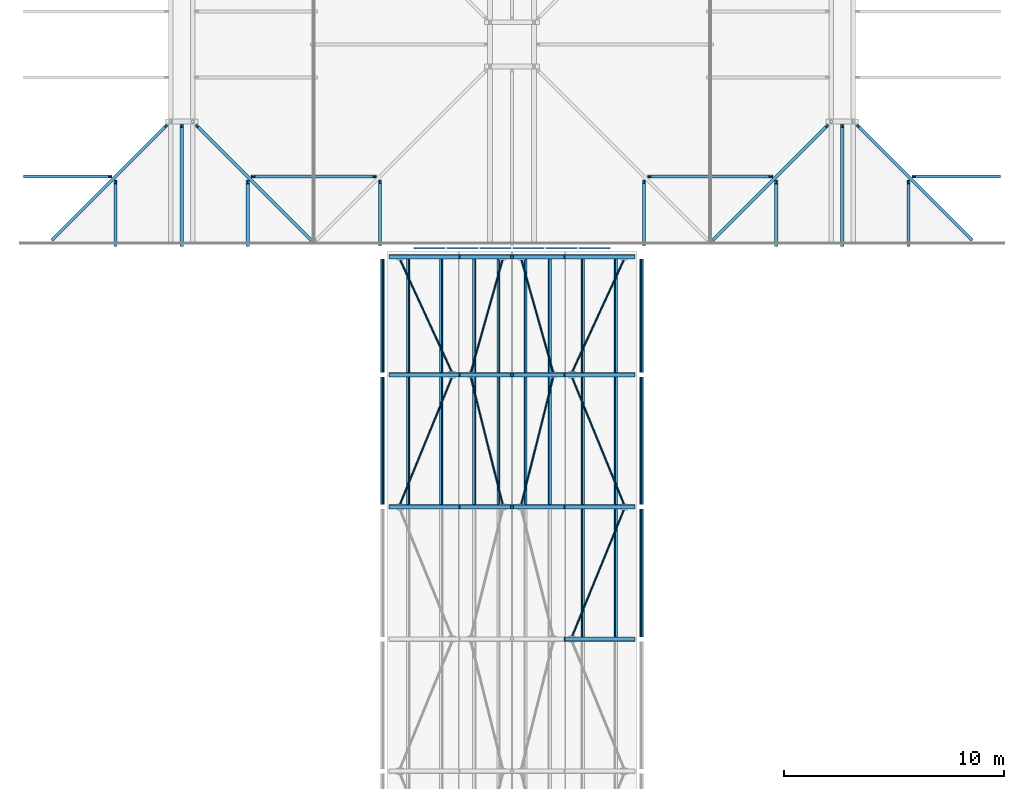
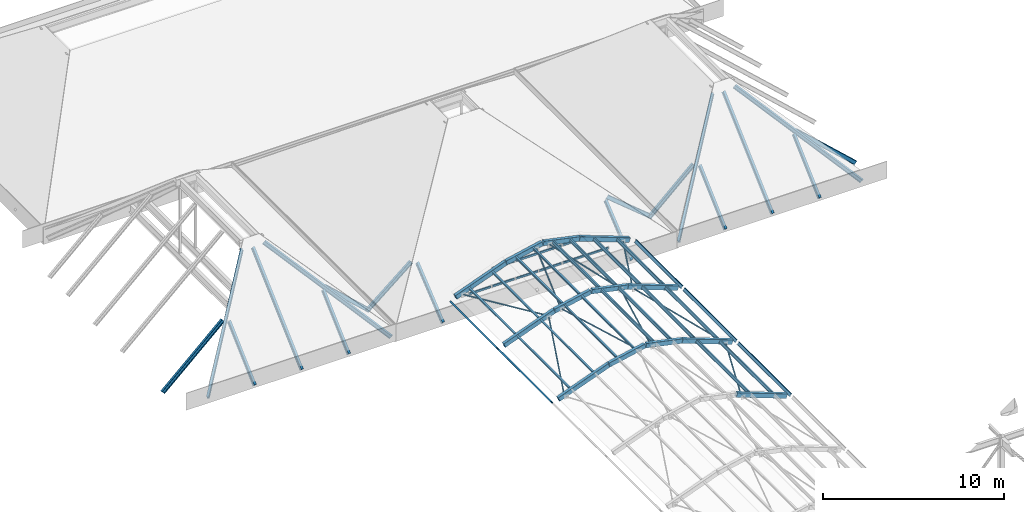
# One storey, part 20 of 57: 50 members, 23 beams.
"""IFC4 building model written with IfcOpenShell, lengths in metres."""

from ifc_helpers import new_model, si_unit, direction, frame, origin, origin_2d, place, context, subcontext, project, spatial, hollow_rectangle, hollow_circle, i_section, extrude, material, material_profile, profile_set, type_object, element, save


model = new_model("IFC4")

# Units and contexts
model_context = context("Model", 3, precision=1e-05, world=origin(), true_north=direction((0.0, 1.0)))
body_context = subcontext(model_context, "Body", "Model", "MODEL_VIEW")
ifc_project = project(units=[si_unit("LENGTHUNIT", "METRE"), si_unit("AREAUNIT", "SQUARE_METRE"), si_unit("VOLUMEUNIT", "CUBIC_METRE"), si_unit("PLANEANGLEUNIT", "RADIAN"), si_unit("MASSUNIT", "GRAM", prefix="KILO")], contexts=[model_context])

# Site, building, storey
site_placement = place(None, origin())
site = spatial("IfcSite", under=ifc_project, at=site_placement, CompositionType="ELEMENT")
building_placement = place(site_placement, origin())
building = spatial("IfcBuilding", under=site, at=building_placement, Name="Saffron Lane Theatres", CompositionType="ELEMENT")
storey_placement = place(building_placement, frame((0.0, 0.0, 28.0)))
storey = spatial("IfcBuildingStorey", under=building, at=storey_placement, Name="Upper Roof", CompositionType="ELEMENT", Elevation=28.0)

# Members
ifc_material_1 = material(Name="Steel Grade 350", Category="steel")
ifc_material_profile_1 = material_profile(ifc_material_1, i_section(OverallWidth=0.14599609375, OverallDepth=0.251953125, WebThickness=0.006103515625, FlangeThickness=0.008544921875, FilletRadius=0.011962890625, at=origin_2d()))
ifc_profile_set_1 = profile_set([ifc_material_profile_1], Name="Steel Grade 350")
member_type_1 = type_object("IfcMemberType", Name="ST-HIP RAFTER 250UB31.4", PredefinedType="RAFTER", material=ifc_profile_set_1)
for number, where, z_axis, x_axis, name in (
    (1, (12.1591796875, 90.1591796875, 0.105712890625), (0.579642029858, 0.579642029858, 0.572739237738), (-0.707106781187, 0.707106781187, 0.0), "BK1-H1"),
    (2, (23.8408203125, 90.1591796875, 0.105712890625), (-0.579642029858, 0.579642029858, 0.572739237738), (-0.707106781187, -0.707106781187, 0.0), "BK1-H3"),
    (3, (42.1591796875, 90.1591796875, 0.105712890625), (0.579642029858, 0.579642029858, 0.572739237738), (-0.707106781187, 0.707106781187, 0.0), "BK3-H1"),
    (4, (53.8408203125, 90.1591796875, 0.105712890625), (-0.579642029858, 0.579642029858, 0.572739237738), (-0.707106781187, -0.707106781187, 0.0), "BK3-H3"),
):
    element("IfcMember", number, at=place(storey_placement, frame(where, z_axis=z_axis, x_axis=x_axis)), inside=storey, type_object=member_type_1, Name=name, PredefinedType="RAFTER", context=body_context, shape_type="SweptSolid", body=[
        extrude(i_section(OverallWidth=0.14599609375, OverallDepth=0.251953125, WebThickness=0.006103515625, FlangeThickness=0.008544921875, FilletRadius=0.011962890625, at=origin_2d()), origin(), (0.0, 0.0, 1.0), 8.87744140625),
    ])
ifc_material_2 = material(Name="Steel Grade 350", Category="steel")
ifc_material_profile_2 = material_profile(ifc_material_2, i_section(OverallWidth=0.14599609375, OverallDepth=0.251953125, WebThickness=0.006103515625, FlangeThickness=0.008544921875, FilletRadius=0.011962890625, at=origin_2d()))
ifc_profile_set_2 = profile_set([ifc_material_profile_2], Name="Steel Grade 350")
member_type_2 = type_object("IfcMemberType", Name="ST-JACK RAFTER 250UB31.4", PredefinedType="RAFTER", material=ifc_profile_set_2)
member_1_placement = place(storey_placement, frame((15.0, 89.914794921875, 0.0927734375), z_axis=(0.0, 0.735874284535, 0.677118185667), x_axis=(-1.0, 0.0, 0.0)))
element("IfcMember", 5, at=member_1_placement, inside=storey, type_object=member_type_2, Name="BK1-K1", PredefinedType="RAFTER", context=body_context, shape_type="SweptSolid", body=[
    extrude(i_section(OverallWidth=0.14599609375, OverallDepth=0.251953125, WebThickness=0.006103515625, FlangeThickness=0.008544921875, FilletRadius=0.011962890625, at=origin_2d()), origin(), (0.0, 0.0, 1.0), 3.860107421875),
])
member_2_placement = place(storey_placement, frame((18.0, 89.914794921875, 0.0927734375), z_axis=(0.0, 0.735882670699, 0.67710907169), x_axis=(-1.0, 0.0, 0.0)))
element("IfcMember", 6, at=member_2_placement, inside=storey, type_object=member_type_2, Name="BK1-K3", PredefinedType="RAFTER", context=body_context, shape_type="SweptSolid", body=[
    extrude(i_section(OverallWidth=0.14599609375, OverallDepth=0.251953125, WebThickness=0.006103515625, FlangeThickness=0.008544921875, FilletRadius=0.011962890625, at=origin_2d()), origin(), (0.0, 0.0, 1.0), 7.348388671875),
])
member_3_placement = place(storey_placement, frame((21.0, 89.914794921875, 0.0927734375), z_axis=(0.0, 0.735874284535, 0.677118185667), x_axis=(-1.0, 0.0, 0.0)))
element("IfcMember", 7, at=member_3_placement, inside=storey, type_object=member_type_2, Name="BK1-K5", PredefinedType="RAFTER", context=body_context, shape_type="SweptSolid", body=[
    extrude(i_section(OverallWidth=0.14599609375, OverallDepth=0.251953125, WebThickness=0.006103515625, FlangeThickness=0.008544921875, FilletRadius=0.011962890625, at=origin_2d()), origin(), (0.0, 0.0, 1.0), 3.860107421875),
])
member_4_placement = place(storey_placement, frame((10.9130859375, 93.0, -0.828857421875), z_axis=(0.73588348171, 0.0, 0.677108190281), x_axis=(0.0, 1.0, 0.0)))
element("IfcMember", 8, at=member_4_placement, inside=storey, type_object=member_type_2, Name="BK1-K7", PredefinedType="RAFTER", context=body_context, shape_type="SweptSolid", body=[
    extrude(i_section(OverallWidth=0.14599609375, OverallDepth=0.251953125, WebThickness=0.006103515625, FlangeThickness=0.008544921875, FilletRadius=0.011962890625, at=origin_2d()), origin(), (0.0, 0.0, 1.0), 5.221435546875),
])
member_5_placement = place(storey_placement, frame((24.085205078125, 93.0, 0.0927734375), z_axis=(-0.735874284535, 0.0, 0.677118185667), x_axis=(0.0, -1.0, 0.0)))
element("IfcMember", 9, at=member_5_placement, inside=storey, type_object=member_type_2, Name="BK1-K8", PredefinedType="RAFTER", context=body_context, shape_type="SweptSolid", body=[
    extrude(i_section(OverallWidth=0.14599609375, OverallDepth=0.251953125, WebThickness=0.006103515625, FlangeThickness=0.008544921875, FilletRadius=0.011962890625, at=origin_2d()), origin(), (0.0, 0.0, 1.0), 3.860107421875),
])
for number, where, z_axis, x_axis, name in (
    (10, (27.0, 89.919921875, 0.09716796875), (0.0, 0.771369210448, 0.636387885784), (-1.0, 0.0, 0.0), "BK2-K1"),
    (11, (39.0, 89.919921875, 0.09716796875), (0.0, 0.771369210448, 0.636387885784), (-1.0, 0.0, 0.0), "BK2-K5"),
    (12, (23.919921875, 93.0, 0.09716796875), (0.771369210448, 0.0, 0.636387885784), (0.0, 1.0, 0.0), "BK2-K7"),
    (13, (42.080078125, 93.0, 0.09716796875), (-0.771369210448, 0.0, 0.636387885784), (0.0, -1.0, 0.0), "BK2-K8"),
):
    element("IfcMember", number, at=place(storey_placement, frame(where, z_axis=z_axis, x_axis=x_axis)), inside=storey, type_object=member_type_2, Name=name, PredefinedType="RAFTER", context=body_context, shape_type="SweptSolid", body=[
        extrude(i_section(OverallWidth=0.14599609375, OverallDepth=0.251953125, WebThickness=0.006103515625, FlangeThickness=0.008544921875, FilletRadius=0.011962890625, at=origin_2d()), origin(), (0.0, 0.0, 1.0), 3.6826171875),
    ])
member_6_placement = place(storey_placement, frame((45.0, 89.914794921875, 0.0927734375), z_axis=(0.0, 0.735874284535, 0.677118185667), x_axis=(-1.0, 0.0, 0.0)))
element("IfcMember", 14, at=member_6_placement, inside=storey, type_object=member_type_2, Name="BK3-K1", PredefinedType="RAFTER", context=body_context, shape_type="SweptSolid", body=[
    extrude(i_section(OverallWidth=0.14599609375, OverallDepth=0.251953125, WebThickness=0.006103515625, FlangeThickness=0.008544921875, FilletRadius=0.011962890625, at=origin_2d()), origin(), (0.0, 0.0, 1.0), 3.860107421875),
])
member_7_placement = place(storey_placement, frame((48.0, 89.914794921875, 0.0927734375), z_axis=(0.0, 0.735882670699, 0.67710907169), x_axis=(-1.0, 0.0, 0.0)))
element("IfcMember", 15, at=member_7_placement, inside=storey, type_object=member_type_2, Name="BK3-K3", PredefinedType="RAFTER", context=body_context, shape_type="SweptSolid", body=[
    extrude(i_section(OverallWidth=0.14599609375, OverallDepth=0.251953125, WebThickness=0.006103515625, FlangeThickness=0.008544921875, FilletRadius=0.011962890625, at=origin_2d()), origin(), (0.0, 0.0, 1.0), 7.348388671875),
])
for number, where, z_axis, x_axis, name in (
    (16, (51.0, 89.914794921875, 0.0927734375), (0.0, 0.735874284535, 0.677118185667), (-1.0, 0.0, 0.0), "BK3-K5"),
    (17, (41.914794921875, 93.0, 0.0927734375), (0.735874284535, 0.0, 0.677118185667), (0.0, 1.0, 0.0), "BK3-K7"),
):
    element("IfcMember", number, at=place(storey_placement, frame(where, z_axis=z_axis, x_axis=x_axis)), inside=storey, type_object=member_type_2, Name=name, PredefinedType="RAFTER", context=body_context, shape_type="SweptSolid", body=[
        extrude(i_section(OverallWidth=0.14599609375, OverallDepth=0.251953125, WebThickness=0.006103515625, FlangeThickness=0.008544921875, FilletRadius=0.011962890625, at=origin_2d()), origin(), (0.0, 0.0, 1.0), 3.860107421875),
    ])
member_8_placement = place(storey_placement, frame((55.0869140625, 93.0, -0.828857421875), z_axis=(-0.73588348171, 0.0, 0.677108190281), x_axis=(0.0, -1.0, 0.0)))
element("IfcMember", 18, at=member_8_placement, inside=storey, type_object=member_type_2, Name="BK3-K8", PredefinedType="RAFTER", context=body_context, shape_type="SweptSolid", body=[
    extrude(i_section(OverallWidth=0.14599609375, OverallDepth=0.251953125, WebThickness=0.006103515625, FlangeThickness=0.008544921875, FilletRadius=0.011962890625, at=origin_2d()), origin(), (0.0, 0.0, 1.0), 5.221435546875),
])

# Beams
ifc_material_3 = material(Name="Steel Grade 350", Category="steel")
ifc_material_profile_3 = material_profile(ifc_material_3, hollow_rectangle(XDim=0.074951171875, YDim=0.125, WallThickness=0.0048828125, InnerFilletRadius=0.00244140625, OuterFilletRadius=0.007568359375, at=origin_2d()))
ifc_profile_set_3 = profile_set([ifc_material_profile_3], Name="Steel Grade 350")
beam_type_1 = type_object("IfcBeamType", Name="ST-LANTERN RING 125x75x5 RHS", PredefinedType="BEAM", material=ifc_profile_set_3)
for number, where, z_axis, x_axis, name in (
    (19, (28.550048828125, 89.75, 1.60009765625), (1.0, 0.0, 0.0), (0.0, 1.0, 0.0), "VX1"),
    (20, (30.050048828125, 89.75, 1.60009765625), (1.0, 0.0, 0.0), (0.0, 1.0, 0.0), "VX2"),
    (21, (31.550048828125, 89.75, 1.60009765625), (1.0, 0.0, 0.0), (0.0, 1.0, 0.0), "VX3"),
    (22, (33.050048828125, 89.75, 1.60009765625), (1.0, 0.0, 0.0), (0.0, 1.0, 0.0), "VX4"),
    (23, (34.550048828125, 89.75, 1.60009765625), (1.0, 0.0, 0.0), (0.0, 1.0, 0.0), "VX5"),
    (24, (36.050048828125, 89.75, 1.60009765625), (1.0, 0.0, 0.0), (0.0, 1.0, 0.0), "VX6"),
    (25, (30.050048828125, 89.75, 2.800048828125), (1.0, 0.0, 0.0), (0.0, 1.0, 0.0), "VX7"),
    (26, (31.550048828125, 89.75, 2.800048828125), (1.0, 0.0, 0.0), (0.0, 1.0, 0.0), "VX8"),
    (27, (33.050048828125, 89.75, 2.800048828125), (1.0, 0.0, 0.0), (0.0, 1.0, 0.0), "VX9"),
    (28, (34.550048828125, 89.75, 2.800048828125), (1.0, 0.0, 0.0), (0.0, 1.0, 0.0), "VX10"),
):
    element("IfcBeam", number, at=place(storey_placement, frame(where, z_axis=z_axis, x_axis=x_axis)), inside=storey, type_object=beam_type_1, Name=name, PredefinedType="BEAM", context=body_context, shape_type="SweptSolid", body=[
        extrude(hollow_rectangle(XDim=0.074951171875, YDim=0.125, WallThickness=0.0048828125, InnerFilletRadius=0.00244140625, OuterFilletRadius=0.007568359375, at=origin_2d()), origin(), (0.0, 0.0, 1.0), 1.39990234375),
    ])

# Members
ifc_material_4 = material(Name="Steel Grade 350", Category="steel")
ifc_material_profile_4 = material_profile(ifc_material_4, hollow_circle(Radius=0.04443359375, WallThickness=0.005859375, at=origin_2d()))
ifc_profile_set_4 = profile_set([ifc_material_profile_4], Name="Steel Grade 350")
member_type_3 = type_object("IfcMemberType", Name="ST-VAULT BRACE 88.9x5.9 CHS", PredefinedType="BRACE", material=ifc_profile_set_4)
for number, where, z_axis, x_axis, name in (
    (29, (35.732177734375, 72.127685546875, 2.974853515625), (0.374845275862, 0.916470214155, -0.139904845272), (-0.925573270719, 0.378568514976, 0.0), "VB30"),
    (30, (27.918212890625, 78.127685546875, 2.097900390625), (0.374845275862, 0.916470214155, 0.139904845272), (-0.925573270719, 0.378568514976, 0.0), "VB35"),
):
    element("IfcMember", number, at=place(storey_placement, frame(where, z_axis=z_axis, x_axis=x_axis)), inside=storey, type_object=member_type_3, Name=name, PredefinedType="BRACE", context=body_context, shape_type="SweptSolid", body=[
        extrude(hollow_circle(Radius=0.04443359375, WallThickness=0.005859375, at=origin_2d()), origin(), (0.0, 0.0, 1.0), 6.268310546875),
    ])
for number, where, z_axis, x_axis, name in (
    (31, (31.132080078125, 83.87890625, 3.2275390625), (0.242864108267, -0.968663475285, 0.052039375135), (0.969977762415, 0.243193627424, 0.0), "VB36"),
    (32, (33.42431640625, 78.12109375, 3.536865234375), (0.242864108267, 0.968663475285, -0.052039375135), (-0.969977762415, 0.243193627424, 0.0), "VB37"),
):
    element("IfcMember", number, at=place(storey_placement, frame(where, z_axis=z_axis, x_axis=x_axis)), inside=storey, type_object=member_type_3, Name=name, PredefinedType="BRACE", context=body_context, shape_type="SweptSolid", body=[
        extrude(hollow_circle(Radius=0.04443359375, WallThickness=0.005859375, at=origin_2d()), origin(), (0.0, 0.0, 1.0), 5.944091796875),
    ])
member_9_placement = place(storey_placement, frame((35.732177734375, 83.872314453125, 2.974853515625), z_axis=(0.374845275862, -0.916470214155, -0.139904845272), x_axis=(0.925573270719, 0.378568514976, 0.0)))
element("IfcMember", 33, at=member_9_placement, inside=storey, type_object=member_type_3, Name="VB38", PredefinedType="BRACE", context=body_context, shape_type="SweptSolid", body=[
    extrude(hollow_circle(Radius=0.04443359375, WallThickness=0.005859375, at=origin_2d()), origin(), (0.0, 0.0, 1.0), 6.268310546875),
])
member_10_placement = place(storey_placement, frame((27.92041015625, 89.220458984375, 2.0986328125), z_axis=(0.413401929788, -0.89738257755, 0.154283356058), x_axis=(0.908257469042, 0.418411722982, 0.0)))
element("IfcMember", 34, at=member_10_placement, inside=storey, type_object=member_type_3, Name="VB43", PredefinedType="BRACE", context=body_context, shape_type="SweptSolid", body=[
    extrude(hollow_circle(Radius=0.04443359375, WallThickness=0.005859375, at=origin_2d()), origin(), (0.0, 0.0, 1.0), 5.6728515625),
])
for number, where, z_axis, x_axis, name in (
    (35, (31.13330078125, 84.122314453125, 3.227783203125), (0.271245751069, 0.960753920454, 0.058117526271), (-0.962380586073, 0.271705000965, 0.0), "VB44"),
    (36, (33.42529296875, 89.227783203125, 3.53662109375), (0.271245751069, -0.960753920454, -0.058117526271), (0.962380586073, 0.271705000965, 0.0), "VB45"),
):
    element("IfcMember", number, at=place(storey_placement, frame(where, z_axis=z_axis, x_axis=x_axis)), inside=storey, type_object=member_type_3, Name=name, PredefinedType="BRACE", context=body_context, shape_type="SweptSolid", body=[
        extrude(hollow_circle(Radius=0.04443359375, WallThickness=0.005859375, at=origin_2d()), origin(), (0.0, 0.0, 1.0), 5.31396484375),
    ])
member_11_placement = place(storey_placement, frame((35.734375, 84.129638671875, 2.973876953125), z_axis=(0.413401929788, 0.89738257755, -0.154283356058), x_axis=(-0.908257469042, 0.418411722982, 0.0)))
element("IfcMember", 37, at=member_11_placement, inside=storey, type_object=member_type_3, Name="VB46", PredefinedType="BRACE", context=body_context, shape_type="SweptSolid", body=[
    extrude(hollow_circle(Radius=0.04443359375, WallThickness=0.005859375, at=origin_2d()), origin(), (0.0, 0.0, 1.0), 5.6728515625),
])
ifc_material_5 = material(Name="Steel Grade 350", Category="steel")
ifc_material_profile_5 = material_profile(ifc_material_5, i_section(OverallWidth=0.09912109375, OverallDepth=0.197998046875, WebThickness=0.00439453125, FlangeThickness=0.007080078125, FilletRadius=0.010986328125, at=origin_2d()))
ifc_profile_set_5 = profile_set([ifc_material_profile_5], Name="Steel Grade 350")
member_type_4 = type_object("IfcMemberType", Name="ST-VAULT PURLIN 200UB18.2", PredefinedType="PURLIN", material=ifc_profile_set_5)
for number, where, z_axis, x_axis, name in (
    (38, (36.21728515625, 72.10009765625, 2.954833984375), (0.0, 1.0, 0.0), (0.936890221619, 0.0, -0.349623672875), "VP4F1"),
    (39, (37.709228515625, 72.10009765625, 2.398193359375), (0.0, 1.0, 0.0), (0.936890221619, 0.0, -0.349623672875), "VP4F2"),
    (40, (38.879150390625, 72.10009765625, 1.864990234375), (0.0, 1.0, 0.0), (0.823487130919, 0.0, -0.567334949752), "VP4G1"),
    (41, (27.120849609375, 78.10009765625, 1.864990234375), (0.0, 1.0, 0.0), (0.823487130919, 0.0, 0.567334949752), "VP5B4"),
    (42, (28.290771484375, 78.10009765625, 2.398193359375), (0.0, 1.0, 0.0), (0.936890221619, 0.0, 0.349623672875), "VP5C1"),
    (43, (29.78271484375, 78.10009765625, 2.954833984375), (0.0, 1.0, 0.0), (0.936890221619, 0.0, 0.349623672875), "VP5C2"),
    (44, (31.2861328125, 78.10009765625, 3.4150390625), (0.0, 1.0, 0.0), (0.977815891936, 0.0, 0.20946618218), "VP5D1"),
    (45, (32.379150390625, 78.10009765625, 3.649169921875), (0.0, 1.0, 0.0), (0.977815891936, 0.0, 0.20946618218), "VP5D2"),
    (46, (33.620849609375, 78.10009765625, 3.649169921875), (0.0, 1.0, 0.0), (0.977815891936, 0.0, -0.20946618218), "VP5E1"),
    (47, (34.7138671875, 78.10009765625, 3.4150390625), (0.0, 1.0, 0.0), (0.977815891936, 0.0, -0.20946618218), "VP5E2"),
    (48, (36.21728515625, 78.10009765625, 2.954833984375), (0.0, 1.0, 0.0), (0.936890221619, 0.0, -0.349623672875), "VP5F1"),
    (49, (37.709228515625, 78.10009765625, 2.398193359375), (0.0, 1.0, 0.0), (0.936890221619, 0.0, -0.349623672875), "VP5F2"),
    (50, (38.879150390625, 78.10009765625, 1.864990234375), (0.0, 1.0, 0.0), (0.823487130919, 0.0, -0.567334949752), "VP5G1"),
):
    element("IfcMember", number, at=place(storey_placement, frame(where, z_axis=z_axis, x_axis=x_axis)), inside=storey, type_object=member_type_4, Name=name, PredefinedType="PURLIN", context=body_context, shape_type="SweptSolid", body=[
        extrude(i_section(OverallWidth=0.09912109375, OverallDepth=0.197998046875, WebThickness=0.00439453125, FlangeThickness=0.007080078125, FilletRadius=0.010986328125, at=origin_2d()), origin(), (0.0, 0.0, 1.0), 5.7998046875),
    ])
for number, where, z_axis, x_axis, name in (
    (51, (27.120849609375, 84.10009765625, 1.864990234375), (0.0, 1.0, 0.0), (0.823487130919, 0.0, 0.567334949752), "VP6B4"),
    (52, (28.290771484375, 84.10009765625, 2.398193359375), (0.0, 1.0, 0.0), (0.936890221619, 0.0, 0.349623672875), "VP6C1"),
    (53, (29.78271484375, 84.10009765625, 2.954833984375), (0.0, 1.0, 0.0), (0.936890221619, 0.0, 0.349623672875), "VP6C2"),
    (54, (31.2861328125, 84.10009765625, 3.4150390625), (0.0, 1.0, 0.0), (0.977815891936, 0.0, 0.20946618218), "VP6D1"),
    (55, (32.379150390625, 84.10009765625, 3.649169921875), (0.0, 1.0, 0.0), (0.977815891936, 0.0, 0.20946618218), "VP6D2"),
    (56, (33.620849609375, 84.10009765625, 3.649169921875), (0.0, 1.0, 0.0), (0.977815891936, 0.0, -0.20946618218), "VP6E1"),
    (57, (34.7138671875, 84.10009765625, 3.4150390625), (0.0, 1.0, 0.0), (0.977815891936, 0.0, -0.20946618218), "VP6E2"),
    (58, (36.21728515625, 84.10009765625, 2.954833984375), (0.0, 1.0, 0.0), (0.936890221619, 0.0, -0.349623672875), "VP6F1"),
    (59, (37.709228515625, 84.10009765625, 2.398193359375), (0.0, 1.0, 0.0), (0.936890221619, 0.0, -0.349623672875), "VP6F2"),
    (60, (38.879150390625, 84.10009765625, 1.864990234375), (0.0, 1.0, 0.0), (0.823487130919, 0.0, -0.567334949752), "VP6G1"),
):
    element("IfcMember", number, at=place(storey_placement, frame(where, z_axis=z_axis, x_axis=x_axis)), inside=storey, type_object=member_type_4, Name=name, PredefinedType="PURLIN", context=body_context, shape_type="SweptSolid", body=[
        extrude(i_section(OverallWidth=0.09912109375, OverallDepth=0.197998046875, WebThickness=0.00439453125, FlangeThickness=0.007080078125, FilletRadius=0.010986328125, at=origin_2d()), origin(), (0.0, 0.0, 1.0), 5.14990234375),
    ])

# Beams
ifc_material_6 = material(Name="Steel Grade 350", Category="steel")
ifc_material_profile_6 = material_profile(ifc_material_6, hollow_rectangle(XDim=0.199951171875, YDim=0.300048828125, WallThickness=0.010009765625, InnerFilletRadius=0.0048828125, OuterFilletRadius=0.014892578125, at=origin_2d()))
ifc_profile_set_6 = profile_set([ifc_material_profile_6], Name="Steel Grade 350")
beam_type_2 = type_object("IfcBeamType", Name="ST-VAULT RIB 300x200x10 RHS", PredefinedType="USERDEFINED", material=ifc_profile_set_6)
for number, where, z_axis, x_axis, name in (
    (61, (35.34423828125, 72.0, 3.22607421875), (0.936888211564, 0.0, -0.349629059194), (0.0, 1.0, 0.0), "VR4F"),
    (62, (27.4677734375, 78.0, 2.036376953125), (0.936888211564, 0.0, 0.349629059194), (0.0, 1.0, 0.0), "VR5C"),
):
    element("IfcBeam", number, at=place(storey_placement, frame(where, z_axis=z_axis, x_axis=x_axis)), inside=storey, type_object=beam_type_2, Name=name, ObjectType="VAULT RIB", PredefinedType="USERDEFINED", context=body_context, shape_type="SweptSolid", body=[
        extrude(hollow_rectangle(XDim=0.199951171875, YDim=0.300048828125, WallThickness=0.010009765625, InnerFilletRadius=0.0048828125, OuterFilletRadius=0.014892578125, at=origin_2d()), origin(), (0.0, 0.0, 1.0), 3.40283203125),
    ])
for number, where, z_axis, x_axis, name in (
    (63, (30.6767578125, 78.0, 3.232421875), (0.977813083547, 0.0, 0.209479291681), (0.0, 1.0, 0.0), "VR5D"),
    (64, (33.031494140625, 78.0, 3.723388671875), (0.977813083547, 0.0, -0.209479291681), (0.0, 1.0, 0.0), "VR5E"),
):
    element("IfcBeam", number, at=place(storey_placement, frame(where, z_axis=z_axis, x_axis=x_axis)), inside=storey, type_object=beam_type_2, Name=name, ObjectType="VAULT RIB", PredefinedType="USERDEFINED", context=body_context, shape_type="SweptSolid", body=[
        extrude(hollow_rectangle(XDim=0.199951171875, YDim=0.300048828125, WallThickness=0.010009765625, InnerFilletRadius=0.0048828125, OuterFilletRadius=0.014892578125, at=origin_2d()), origin(), (0.0, 0.0, 1.0), 2.34375),
    ])
for number, where, z_axis, x_axis, name in (
    (65, (35.34423828125, 78.0, 3.22607421875), (0.936888211564, 0.0, -0.349629059194), (0.0, 1.0, 0.0), "VR5F"),
    (66, (27.4677734375, 84.0, 2.036376953125), (0.936888211564, 0.0, 0.349629059194), (0.0, 1.0, 0.0), "VR6C"),
):
    element("IfcBeam", number, at=place(storey_placement, frame(where, z_axis=z_axis, x_axis=x_axis)), inside=storey, type_object=beam_type_2, Name=name, ObjectType="VAULT RIB", PredefinedType="USERDEFINED", context=body_context, shape_type="SweptSolid", body=[
        extrude(hollow_rectangle(XDim=0.199951171875, YDim=0.300048828125, WallThickness=0.010009765625, InnerFilletRadius=0.0048828125, OuterFilletRadius=0.014892578125, at=origin_2d()), origin(), (0.0, 0.0, 1.0), 3.40283203125),
    ])
for number, where, z_axis, x_axis, name in (
    (67, (30.6767578125, 84.0, 3.232421875), (0.977813083547, 0.0, 0.209479291681), (0.0, 1.0, 0.0), "VR6D"),
    (68, (33.031494140625, 84.0, 3.723388671875), (0.977813083547, 0.0, -0.209479291681), (0.0, 1.0, 0.0), "VR6E"),
):
    element("IfcBeam", number, at=place(storey_placement, frame(where, z_axis=z_axis, x_axis=x_axis)), inside=storey, type_object=beam_type_2, Name=name, ObjectType="VAULT RIB", PredefinedType="USERDEFINED", context=body_context, shape_type="SweptSolid", body=[
        extrude(hollow_rectangle(XDim=0.199951171875, YDim=0.300048828125, WallThickness=0.010009765625, InnerFilletRadius=0.0048828125, OuterFilletRadius=0.014892578125, at=origin_2d()), origin(), (0.0, 0.0, 1.0), 2.34375),
    ])
for number, where, z_axis, x_axis, name in (
    (69, (35.34423828125, 84.0, 3.22607421875), (0.936888211564, 0.0, -0.349629059194), (0.0, 1.0, 0.0), "VR6F"),
    (70, (27.4677734375, 89.35009765625, 2.036376953125), (0.936888211564, 0.0, 0.349629059194), (0.0, 1.0, 0.0), "VR7C"),
):
    element("IfcBeam", number, at=place(storey_placement, frame(where, z_axis=z_axis, x_axis=x_axis)), inside=storey, type_object=beam_type_2, Name=name, ObjectType="VAULT RIB", PredefinedType="USERDEFINED", context=body_context, shape_type="SweptSolid", body=[
        extrude(hollow_rectangle(XDim=0.199951171875, YDim=0.300048828125, WallThickness=0.010009765625, InnerFilletRadius=0.0048828125, OuterFilletRadius=0.014892578125, at=origin_2d()), origin(), (0.0, 0.0, 1.0), 3.40283203125),
    ])
for number, where, z_axis, x_axis, name in (
    (71, (30.6767578125, 89.35009765625, 3.232421875), (0.977813083547, 0.0, 0.209479291681), (0.0, 1.0, 0.0), "VR7D"),
    (72, (33.031494140625, 89.35009765625, 3.723388671875), (0.977813083547, 0.0, -0.209479291681), (0.0, 1.0, 0.0), "VR7E"),
):
    element("IfcBeam", number, at=place(storey_placement, frame(where, z_axis=z_axis, x_axis=x_axis)), inside=storey, type_object=beam_type_2, Name=name, ObjectType="VAULT RIB", PredefinedType="USERDEFINED", context=body_context, shape_type="SweptSolid", body=[
        extrude(hollow_rectangle(XDim=0.199951171875, YDim=0.300048828125, WallThickness=0.010009765625, InnerFilletRadius=0.0048828125, OuterFilletRadius=0.014892578125, at=origin_2d()), origin(), (0.0, 0.0, 1.0), 2.34375),
    ])
beam_placement = place(storey_placement, frame((35.34423828125, 89.35009765625, 3.22607421875), z_axis=(0.936888211564, 0.0, -0.349629059194), x_axis=(0.0, 1.0, 0.0)))
element("IfcBeam", 73, at=beam_placement, inside=storey, type_object=beam_type_2, Name="VR7F", ObjectType="VAULT RIB", PredefinedType="USERDEFINED", context=body_context, shape_type="SweptSolid", body=[
    extrude(hollow_rectangle(XDim=0.199951171875, YDim=0.300048828125, WallThickness=0.010009765625, InnerFilletRadius=0.0048828125, OuterFilletRadius=0.014892578125, at=origin_2d()), origin(), (0.0, 0.0, 1.0), 3.40283203125),
])

save(model, "model.ifc")
